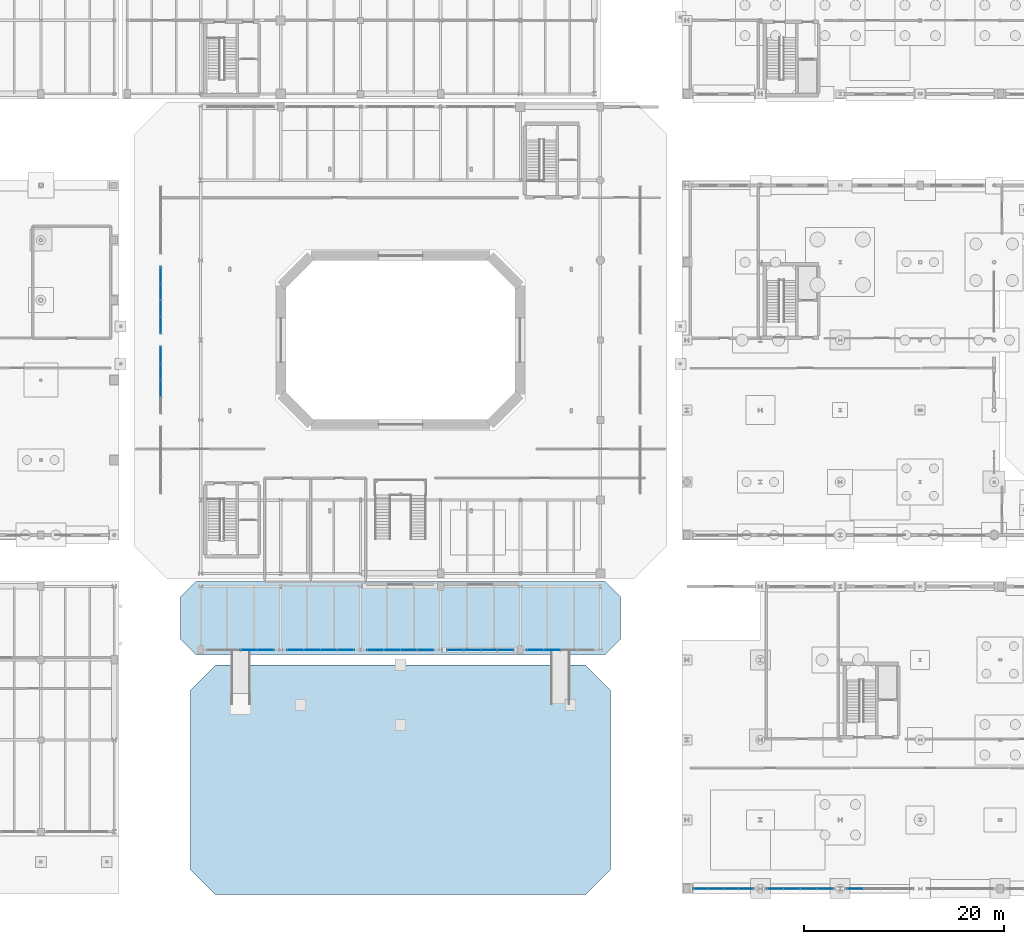
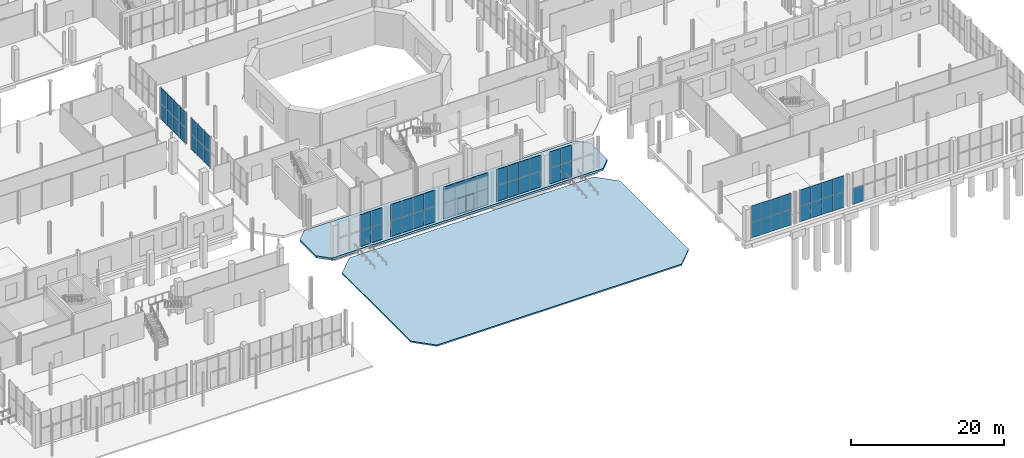
# One storey, part 59 of 87: 63 plates, 2 slabs, 10 elements without a shape of their own.
"""IFC4 building model written with IfcOpenShell, lengths in metres."""

from ifc_helpers import new_model, si_unit, direction, frame, origin, origin_2d, place, context, subcontext, project, spatial, polyline, rectangle, outline, extrude, material, layer, layer_set, type_object, element, aggregate, save


model = new_model("IFC4")

# Units and contexts
model_context = context("Model", 3, precision=1e-05, world=origin(), true_north=direction((0.0, 1.0)))
body_context = subcontext(model_context, "Body", "Model", "MODEL_VIEW")
ifc_project = project(units=[si_unit("LENGTHUNIT", "METRE"), si_unit("AREAUNIT", "SQUARE_METRE"), si_unit("VOLUMEUNIT", "CUBIC_METRE"), si_unit("PLANEANGLEUNIT", "RADIAN"), si_unit("MASSUNIT", "GRAM", prefix="KILO")], contexts=[model_context])

# Site, building, storey
site_placement = place(None, origin())
site = spatial("IfcSite", under=ifc_project, at=site_placement, CompositionType="ELEMENT")
building_placement = place(site_placement, origin())
building = spatial("IfcBuilding", under=site, at=building_placement, Name="Brisemont Oceanarium", CompositionType="ELEMENT")
storey_placement = place(building_placement, origin())
storey = spatial("IfcBuildingStorey", under=building, at=storey_placement, Name="L00", CompositionType="ELEMENT", Elevation=0.0)

# Curtain wall, plates
ifc_material_1 = material(Name="Anodized Extruded Aluminum 6063-T6", Category="aluminium")
curtain_wall_type_1 = type_object("IfcCurtainWallType", Name="CW-ROT-69X50", PredefinedType="NOTDEFINED", material=ifc_material_1)
curtain_wall_1_placement = place(storey_placement, origin())
curtain_wall_1 = element("IfcCurtainWall", 1, at=curtain_wall_1_placement, inside=storey, type_object=curtain_wall_type_1, Name="CW-01 curtain wall CW-V1-W-L00-02", PredefinedType="NOTDEFINED")
ifc_material_2 = material(Name="Insulated Low-E Laminated Glass", Category="glass")
ifc_layer_1 = layer(ifc_material_2, 0.028076171875)
ifc_layer_set_1 = layer_set([ifc_layer_1], Name="Insulated Low-E Laminated Glass")
plate_type_1 = type_object("IfcPlateType", Name="PLT-CWP-V1", PredefinedType="CURTAIN_PANEL", material=ifc_layer_set_1)
plate_1_placement = place(storey_placement, frame((60.0, 51.16259765625, 0.00146484375), z_axis=(0.0, 0.0, 1.0), x_axis=(0.0, 1.0, 0.0)))
plate_1 = element("IfcPlate", 2, at=plate_1_placement, type_object=plate_type_1, Name="CW-V1-W-L00-02 panel 2.1", PredefinedType="CURTAIN_PANEL", context=body_context, shape_type="SweptSolid", body=[
    extrude(rectangle(XDim=1.672119140625, YDim=0.028076171875, at=origin_2d()), origin(), (0.0, 0.0, 1.0), 2.527099609375),
])
plate_2_placement = place(storey_placement, frame((60.0, 51.16259765625, 2.53125), z_axis=(0.0, 0.0, 1.0), x_axis=(0.0, 1.0, 0.0)))
plate_2 = element("IfcPlate", 3, at=plate_2_placement, type_object=plate_type_1, Name="CW-V1-W-L00-02 panel 2.2", PredefinedType="CURTAIN_PANEL", context=body_context, shape_type="SweptSolid", body=[
    extrude(rectangle(XDim=1.672119140625, YDim=0.028076171875, at=origin_2d()), origin(), (0.0, 0.0, 1.0), 2.527099609375),
])
plate_3_placement = place(storey_placement, frame((60.0, 52.83740234375, 0.00146484375), z_axis=(0.0, 0.0, 1.0), x_axis=(0.0, 1.0, 0.0)))
plate_3 = element("IfcPlate", 4, at=plate_3_placement, type_object=plate_type_1, Name="CW-V1-W-L00-02 panel 3.1", PredefinedType="CURTAIN_PANEL", context=body_context, shape_type="SweptSolid", body=[
    extrude(rectangle(XDim=1.672119140625, YDim=0.028076171875, at=origin_2d()), origin(), (0.0, 0.0, 1.0), 2.527099609375),
])
plate_4_placement = place(storey_placement, frame((60.0, 52.83740234375, 2.53125), z_axis=(0.0, 0.0, 1.0), x_axis=(0.0, 1.0, 0.0)))
plate_4 = element("IfcPlate", 5, at=plate_4_placement, type_object=plate_type_1, Name="CW-V1-W-L00-02 panel 3.2", PredefinedType="CURTAIN_PANEL", context=body_context, shape_type="SweptSolid", body=[
    extrude(rectangle(XDim=1.672119140625, YDim=0.028076171875, at=origin_2d()), origin(), (0.0, 0.0, 1.0), 2.527099609375),
])
plate_5_placement = place(storey_placement, frame((60.0, 54.512451171875, 0.00146484375), z_axis=(0.0, 0.0, 1.0), x_axis=(0.0, 1.0, 0.0)))
plate_5 = element("IfcPlate", 6, at=plate_5_placement, type_object=plate_type_1, Name="CW-V1-W-L00-02 panel 4.1", PredefinedType="CURTAIN_PANEL", context=body_context, shape_type="SweptSolid", body=[
    extrude(rectangle(XDim=1.672119140625, YDim=0.028076171875, at=origin_2d()), origin(), (0.0, 0.0, 1.0), 2.527099609375),
])
plate_6_placement = place(storey_placement, frame((60.0, 54.512451171875, 2.53125), z_axis=(0.0, 0.0, 1.0), x_axis=(0.0, 1.0, 0.0)))
plate_6 = element("IfcPlate", 7, at=plate_6_placement, type_object=plate_type_1, Name="CW-V1-W-L00-02 panel 4.2", PredefinedType="CURTAIN_PANEL", context=body_context, shape_type="SweptSolid", body=[
    extrude(rectangle(XDim=1.672119140625, YDim=0.028076171875, at=origin_2d()), origin(), (0.0, 0.0, 1.0), 2.527099609375),
])
aggregate(curtain_wall_1, [plate_1, plate_2, plate_3, plate_4, plate_5, plate_6])

curtain_wall_2_placement = place(storey_placement, origin())
curtain_wall_2 = element("IfcCurtainWall", 8, at=curtain_wall_2_placement, inside=storey, type_object=curtain_wall_type_1, Name="CW-01 curtain wall CW-V1-W-L00-03", PredefinedType="NOTDEFINED")
plate_7_placement = place(storey_placement, frame((60.0, 57.487548828125, 0.00146484375), z_axis=(0.0, 0.0, 1.0), x_axis=(0.0, 1.0, 0.0)))
plate_7 = element("IfcPlate", 9, at=plate_7_placement, type_object=plate_type_1, Name="CW-V1-W-L00-03 panel 1.1", PredefinedType="CURTAIN_PANEL", context=body_context, shape_type="SweptSolid", body=[
    extrude(rectangle(XDim=1.672119140625, YDim=0.028076171875, at=origin_2d()), origin(), (0.0, 0.0, 1.0), 2.527099609375),
])
plate_8_placement = place(storey_placement, frame((60.0, 57.487548828125, 2.53125), z_axis=(0.0, 0.0, 1.0), x_axis=(0.0, 1.0, 0.0)))
plate_8 = element("IfcPlate", 10, at=plate_8_placement, type_object=plate_type_1, Name="CW-V1-W-L00-03 panel 1.2", PredefinedType="CURTAIN_PANEL", context=body_context, shape_type="SweptSolid", body=[
    extrude(rectangle(XDim=1.672119140625, YDim=0.028076171875, at=origin_2d()), origin(), (0.0, 0.0, 1.0), 2.527099609375),
])
plate_9_placement = place(storey_placement, frame((60.0, 59.16259765625, 0.00146484375), z_axis=(0.0, 0.0, 1.0), x_axis=(0.0, 1.0, 0.0)))
plate_9 = element("IfcPlate", 11, at=plate_9_placement, type_object=plate_type_1, Name="CW-V1-W-L00-03 panel 2.1", PredefinedType="CURTAIN_PANEL", context=body_context, shape_type="SweptSolid", body=[
    extrude(rectangle(XDim=1.672119140625, YDim=0.028076171875, at=origin_2d()), origin(), (0.0, 0.0, 1.0), 2.527099609375),
])
plate_10_placement = place(storey_placement, frame((60.0, 59.16259765625, 2.53125), z_axis=(0.0, 0.0, 1.0), x_axis=(0.0, 1.0, 0.0)))
plate_10 = element("IfcPlate", 12, at=plate_10_placement, type_object=plate_type_1, Name="CW-V1-W-L00-03 panel 2.2", PredefinedType="CURTAIN_PANEL", context=body_context, shape_type="SweptSolid", body=[
    extrude(rectangle(XDim=1.672119140625, YDim=0.028076171875, at=origin_2d()), origin(), (0.0, 0.0, 1.0), 2.527099609375),
])
plate_11_placement = place(storey_placement, frame((60.0, 60.83740234375, 0.00146484375), z_axis=(0.0, 0.0, 1.0), x_axis=(0.0, 1.0, 0.0)))
plate_11 = element("IfcPlate", 13, at=plate_11_placement, type_object=plate_type_1, Name="CW-V1-W-L00-03 panel 3.1", PredefinedType="CURTAIN_PANEL", context=body_context, shape_type="SweptSolid", body=[
    extrude(rectangle(XDim=1.672119140625, YDim=0.028076171875, at=origin_2d()), origin(), (0.0, 0.0, 1.0), 2.527099609375),
])
plate_12_placement = place(storey_placement, frame((60.0, 60.83740234375, 2.53125), z_axis=(0.0, 0.0, 1.0), x_axis=(0.0, 1.0, 0.0)))
plate_12 = element("IfcPlate", 14, at=plate_12_placement, type_object=plate_type_1, Name="CW-V1-W-L00-03 panel 3.2", PredefinedType="CURTAIN_PANEL", context=body_context, shape_type="SweptSolid", body=[
    extrude(rectangle(XDim=1.672119140625, YDim=0.028076171875, at=origin_2d()), origin(), (0.0, 0.0, 1.0), 2.527099609375),
])
plate_13_placement = place(storey_placement, frame((60.0, 62.512451171875, 0.00146484375), z_axis=(0.0, 0.0, 1.0), x_axis=(0.0, 1.0, 0.0)))
plate_13 = element("IfcPlate", 15, at=plate_13_placement, type_object=plate_type_1, Name="CW-V1-W-L00-03 panel 4.1", PredefinedType="CURTAIN_PANEL", context=body_context, shape_type="SweptSolid", body=[
    extrude(rectangle(XDim=1.672119140625, YDim=0.028076171875, at=origin_2d()), origin(), (0.0, 0.0, 1.0), 2.527099609375),
])
plate_14_placement = place(storey_placement, frame((60.0, 62.512451171875, 2.53125), z_axis=(0.0, 0.0, 1.0), x_axis=(0.0, 1.0, 0.0)))
plate_14 = element("IfcPlate", 16, at=plate_14_placement, type_object=plate_type_1, Name="CW-V1-W-L00-03 panel 4.2", PredefinedType="CURTAIN_PANEL", context=body_context, shape_type="SweptSolid", body=[
    extrude(rectangle(XDim=1.672119140625, YDim=0.028076171875, at=origin_2d()), origin(), (0.0, 0.0, 1.0), 2.527099609375),
])
aggregate(curtain_wall_2, [plate_7, plate_8, plate_9, plate_10, plate_11, plate_12, plate_13, plate_14])

ifc_material_3 = material(Name="Anodized Extruded Aluminum 6063-T6", Category="aluminium")
curtain_wall_type_2 = type_object("IfcCurtainWallType", Name="CW-POR-69X50", PredefinedType="NOTDEFINED", material=ifc_material_3)
curtain_wall_3_placement = place(storey_placement, origin())
curtain_wall_3 = element("IfcCurtainWall", 17, at=curtain_wall_3_placement, inside=storey, type_object=curtain_wall_type_2, Name="CW-19 curtain wall CW-V1P-S-L00-01", PredefinedType="NOTDEFINED")
ifc_material_4 = material(Name="Insulated Low-E Laminated Glass", Category="glass")
ifc_layer_2 = layer(ifc_material_4, 0.030029296875)
ifc_layer_set_2 = layer_set([ifc_layer_2], Name="Insulated Low-E Laminated Glass")
plate_type_2 = type_object("IfcPlateType", Name="PLT-CWP-V4", PredefinedType="CURTAIN_PANEL", material=ifc_layer_set_2)
plate_15_placement = place(storey_placement, frame((68.83740234375, 25.0, 0.00146484375), z_axis=(0.0, 0.0, 1.0), x_axis=(1.0, 0.0, 0.0)))
plate_15 = element("IfcPlate", 18, at=plate_15_placement, type_object=plate_type_2, Name="CW-V1P-S-L00-01 panel 3.1", PredefinedType="CURTAIN_PANEL", context=body_context, shape_type="SweptSolid", body=[
    extrude(rectangle(XDim=1.672119140625, YDim=0.030029296875, at=origin_2d()), origin(), (0.0, 0.0, 1.0), 2.547119140625),
])
plate_16_placement = place(storey_placement, frame((68.83740234375, 25.0, 2.55126953125), z_axis=(0.0, 0.0, 1.0), x_axis=(1.0, 0.0, 0.0)))
plate_16 = element("IfcPlate", 19, at=plate_16_placement, type_object=plate_type_2, Name="CW-V1P-S-L00-01 panel 3.2", PredefinedType="CURTAIN_PANEL", context=body_context, shape_type="SweptSolid", body=[
    extrude(rectangle(XDim=1.672119140625, YDim=0.030029296875, at=origin_2d()), origin(), (0.0, 0.0, 1.0), 2.547119140625),
])
plate_17_placement = place(storey_placement, frame((70.512451171875, 25.0, 0.00146484375), z_axis=(0.0, 0.0, 1.0), x_axis=(1.0, 0.0, 0.0)))
plate_17 = element("IfcPlate", 20, at=plate_17_placement, type_object=plate_type_2, Name="CW-V1P-S-L00-01 panel 4.1", PredefinedType="CURTAIN_PANEL", context=body_context, shape_type="SweptSolid", body=[
    extrude(rectangle(XDim=1.672119140625, YDim=0.030029296875, at=origin_2d()), origin(), (0.0, 0.0, 1.0), 2.547119140625),
])
plate_18_placement = place(storey_placement, frame((70.512451171875, 25.0, 2.55126953125), z_axis=(0.0, 0.0, 1.0), x_axis=(1.0, 0.0, 0.0)))
plate_18 = element("IfcPlate", 21, at=plate_18_placement, type_object=plate_type_2, Name="CW-V1P-S-L00-01 panel 4.2", PredefinedType="CURTAIN_PANEL", context=body_context, shape_type="SweptSolid", body=[
    extrude(rectangle(XDim=1.672119140625, YDim=0.030029296875, at=origin_2d()), origin(), (0.0, 0.0, 1.0), 2.547119140625),
])
aggregate(curtain_wall_3, [plate_15, plate_16, plate_17, plate_18])

curtain_wall_4_placement = place(storey_placement, origin())
curtain_wall_4 = element("IfcCurtainWall", 22, at=curtain_wall_4_placement, inside=storey, type_object=curtain_wall_type_2, Name="CW-19 curtain wall CW-V1P-S-L00-02", PredefinedType="NOTDEFINED")
plate_19_placement = place(storey_placement, frame((73.487548828125, 25.0, 0.00146484375), z_axis=(0.0, 0.0, 1.0), x_axis=(1.0, 0.0, 0.0)))
plate_19 = element("IfcPlate", 23, at=plate_19_placement, type_object=plate_type_2, Name="CW-V1P-S-L00-02 panel 1.1", PredefinedType="CURTAIN_PANEL", context=body_context, shape_type="SweptSolid", body=[
    extrude(rectangle(XDim=1.672119140625, YDim=0.030029296875, at=origin_2d()), origin(), (0.0, 0.0, 1.0), 2.547119140625),
])
plate_20_placement = place(storey_placement, frame((73.487548828125, 25.0, 2.55126953125), z_axis=(0.0, 0.0, 1.0), x_axis=(1.0, 0.0, 0.0)))
plate_20 = element("IfcPlate", 24, at=plate_20_placement, type_object=plate_type_2, Name="CW-V1P-S-L00-02 panel 1.2", PredefinedType="CURTAIN_PANEL", context=body_context, shape_type="SweptSolid", body=[
    extrude(rectangle(XDim=1.672119140625, YDim=0.030029296875, at=origin_2d()), origin(), (0.0, 0.0, 1.0), 2.547119140625),
])
plate_21_placement = place(storey_placement, frame((75.16259765625, 25.0, 0.00146484375), z_axis=(0.0, 0.0, 1.0), x_axis=(1.0, 0.0, 0.0)))
plate_21 = element("IfcPlate", 25, at=plate_21_placement, type_object=plate_type_2, Name="CW-V1P-S-L00-02 panel 2.1", PredefinedType="CURTAIN_PANEL", context=body_context, shape_type="SweptSolid", body=[
    extrude(rectangle(XDim=1.672119140625, YDim=0.030029296875, at=origin_2d()), origin(), (0.0, 0.0, 1.0), 2.547119140625),
])
plate_22_placement = place(storey_placement, frame((75.16259765625, 25.0, 2.55126953125), z_axis=(0.0, 0.0, 1.0), x_axis=(1.0, 0.0, 0.0)))
plate_22 = element("IfcPlate", 26, at=plate_22_placement, type_object=plate_type_2, Name="CW-V1P-S-L00-02 panel 2.2", PredefinedType="CURTAIN_PANEL", context=body_context, shape_type="SweptSolid", body=[
    extrude(rectangle(XDim=1.672119140625, YDim=0.030029296875, at=origin_2d()), origin(), (0.0, 0.0, 1.0), 2.547119140625),
])
plate_23_placement = place(storey_placement, frame((76.83740234375, 25.0, 0.00146484375), z_axis=(0.0, 0.0, 1.0), x_axis=(1.0, 0.0, 0.0)))
plate_23 = element("IfcPlate", 27, at=plate_23_placement, type_object=plate_type_2, Name="CW-V1P-S-L00-02 panel 3.1", PredefinedType="CURTAIN_PANEL", context=body_context, shape_type="SweptSolid", body=[
    extrude(rectangle(XDim=1.672119140625, YDim=0.030029296875, at=origin_2d()), origin(), (0.0, 0.0, 1.0), 2.547119140625),
])
plate_24_placement = place(storey_placement, frame((76.83740234375, 25.0, 2.55126953125), z_axis=(0.0, 0.0, 1.0), x_axis=(1.0, 0.0, 0.0)))
plate_24 = element("IfcPlate", 28, at=plate_24_placement, type_object=plate_type_2, Name="CW-V1P-S-L00-02 panel 3.2", PredefinedType="CURTAIN_PANEL", context=body_context, shape_type="SweptSolid", body=[
    extrude(rectangle(XDim=1.672119140625, YDim=0.030029296875, at=origin_2d()), origin(), (0.0, 0.0, 1.0), 2.547119140625),
])
plate_25_placement = place(storey_placement, frame((78.512451171875, 25.0, 0.00146484375), z_axis=(0.0, 0.0, 1.0), x_axis=(1.0, 0.0, 0.0)))
plate_25 = element("IfcPlate", 29, at=plate_25_placement, type_object=plate_type_2, Name="CW-V1P-S-L00-02 panel 4.1", PredefinedType="CURTAIN_PANEL", context=body_context, shape_type="SweptSolid", body=[
    extrude(rectangle(XDim=1.672119140625, YDim=0.030029296875, at=origin_2d()), origin(), (0.0, 0.0, 1.0), 2.547119140625),
])
plate_26_placement = place(storey_placement, frame((78.512451171875, 25.0, 2.55126953125), z_axis=(0.0, 0.0, 1.0), x_axis=(1.0, 0.0, 0.0)))
plate_26 = element("IfcPlate", 30, at=plate_26_placement, type_object=plate_type_2, Name="CW-V1P-S-L00-02 panel 4.2", PredefinedType="CURTAIN_PANEL", context=body_context, shape_type="SweptSolid", body=[
    extrude(rectangle(XDim=1.672119140625, YDim=0.030029296875, at=origin_2d()), origin(), (0.0, 0.0, 1.0), 2.547119140625),
])
aggregate(curtain_wall_4, [plate_19, plate_20, plate_21, plate_22, plate_23, plate_24, plate_25, plate_26])

curtain_wall_5_placement = place(storey_placement, origin())
curtain_wall_5 = element("IfcCurtainWall", 31, at=curtain_wall_5_placement, inside=storey, type_object=curtain_wall_type_2, Name="CW-19 curtain wall CW-V1P-S-L00-03", PredefinedType="NOTDEFINED")
plate_27_placement = place(storey_placement, frame((81.487548828125, 25.0, 0.00146484375), z_axis=(0.0, 0.0, 1.0), x_axis=(1.0, 0.0, 0.0)))
plate_27 = element("IfcPlate", 32, at=plate_27_placement, type_object=plate_type_2, Name="CW-V1P-S-L00-03 panel 1.1", PredefinedType="CURTAIN_PANEL", context=body_context, shape_type="SweptSolid", body=[
    extrude(rectangle(XDim=1.672119140625, YDim=0.030029296875, at=origin_2d()), origin(), (0.0, 0.0, 1.0), 2.547119140625),
])
plate_28_placement = place(storey_placement, frame((81.487548828125, 25.0, 2.55126953125), z_axis=(0.0, 0.0, 1.0), x_axis=(1.0, 0.0, 0.0)))
plate_28 = element("IfcPlate", 33, at=plate_28_placement, type_object=plate_type_2, Name="CW-V1P-S-L00-03 panel 1.2", PredefinedType="CURTAIN_PANEL", context=body_context, shape_type="SweptSolid", body=[
    extrude(rectangle(XDim=1.672119140625, YDim=0.030029296875, at=origin_2d()), origin(), (0.0, 0.0, 1.0), 2.547119140625),
])
plate_29_placement = place(storey_placement, frame((83.16259765625, 25.0, 0.00146484375), z_axis=(0.0, 0.0, 1.0), x_axis=(1.0, 0.0, 0.0)))
plate_29 = element("IfcPlate", 34, at=plate_29_placement, type_object=plate_type_2, Name="CW-V1P-S-L00-03 panel 2.1", PredefinedType="CURTAIN_PANEL", context=body_context, shape_type="SweptSolid", body=[
    extrude(rectangle(XDim=1.672119140625, YDim=0.030029296875, at=origin_2d()), origin(), (0.0, 0.0, 1.0), 2.547119140625),
])
plate_30_placement = place(storey_placement, frame((83.16259765625, 25.0, 2.55126953125), z_axis=(0.0, 0.0, 1.0), x_axis=(1.0, 0.0, 0.0)))
plate_30 = element("IfcPlate", 35, at=plate_30_placement, type_object=plate_type_2, Name="CW-V1P-S-L00-03 panel 2.2", PredefinedType="CURTAIN_PANEL", context=body_context, shape_type="SweptSolid", body=[
    extrude(rectangle(XDim=1.672119140625, YDim=0.030029296875, at=origin_2d()), origin(), (0.0, 0.0, 1.0), 2.547119140625),
])
plate_31_placement = place(storey_placement, frame((84.83740234375, 25.0, 0.00146484375), z_axis=(0.0, 0.0, 1.0), x_axis=(1.0, 0.0, 0.0)))
plate_31 = element("IfcPlate", 36, at=plate_31_placement, type_object=plate_type_2, Name="CW-V1P-S-L00-03 panel 3.1", PredefinedType="CURTAIN_PANEL", context=body_context, shape_type="SweptSolid", body=[
    extrude(rectangle(XDim=1.672119140625, YDim=0.030029296875, at=origin_2d()), origin(), (0.0, 0.0, 1.0), 2.547119140625),
])
plate_32_placement = place(storey_placement, frame((84.83740234375, 25.0, 2.55126953125), z_axis=(0.0, 0.0, 1.0), x_axis=(1.0, 0.0, 0.0)))
plate_32 = element("IfcPlate", 37, at=plate_32_placement, type_object=plate_type_2, Name="CW-V1P-S-L00-03 panel 3.2", PredefinedType="CURTAIN_PANEL", context=body_context, shape_type="SweptSolid", body=[
    extrude(rectangle(XDim=1.672119140625, YDim=0.030029296875, at=origin_2d()), origin(), (0.0, 0.0, 1.0), 2.547119140625),
])
plate_33_placement = place(storey_placement, frame((86.512451171875, 25.0, 0.00146484375), z_axis=(0.0, 0.0, 1.0), x_axis=(1.0, 0.0, 0.0)))
plate_33 = element("IfcPlate", 38, at=plate_33_placement, type_object=plate_type_2, Name="CW-V1P-S-L00-03 panel 4.1", PredefinedType="CURTAIN_PANEL", context=body_context, shape_type="SweptSolid", body=[
    extrude(rectangle(XDim=1.672119140625, YDim=0.030029296875, at=origin_2d()), origin(), (0.0, 0.0, 1.0), 2.547119140625),
])
plate_34_placement = place(storey_placement, frame((86.512451171875, 25.0, 2.55126953125), z_axis=(0.0, 0.0, 1.0), x_axis=(1.0, 0.0, 0.0)))
plate_34 = element("IfcPlate", 39, at=plate_34_placement, type_object=plate_type_2, Name="CW-V1P-S-L00-03 panel 4.2", PredefinedType="CURTAIN_PANEL", context=body_context, shape_type="SweptSolid", body=[
    extrude(rectangle(XDim=1.672119140625, YDim=0.030029296875, at=origin_2d()), origin(), (0.0, 0.0, 1.0), 2.547119140625),
])
aggregate(curtain_wall_5, [plate_27, plate_28, plate_29, plate_30, plate_31, plate_32, plate_33, plate_34])

curtain_wall_6_placement = place(storey_placement, origin())
curtain_wall_6 = element("IfcCurtainWall", 40, at=curtain_wall_6_placement, inside=storey, type_object=curtain_wall_type_2, Name="CW-19 curtain wall CW-V1P-S-L00-04", PredefinedType="NOTDEFINED")
plate_35_placement = place(storey_placement, frame((89.487548828125, 25.0, 0.00146484375), z_axis=(0.0, 0.0, 1.0), x_axis=(1.0, 0.0, 0.0)))
plate_35 = element("IfcPlate", 41, at=plate_35_placement, type_object=plate_type_2, Name="CW-V1P-S-L00-04 panel 1.1", PredefinedType="CURTAIN_PANEL", context=body_context, shape_type="SweptSolid", body=[
    extrude(rectangle(XDim=1.672119140625, YDim=0.030029296875, at=origin_2d()), origin(), (0.0, 0.0, 1.0), 2.547119140625),
])
plate_36_placement = place(storey_placement, frame((89.487548828125, 25.0, 2.55126953125), z_axis=(0.0, 0.0, 1.0), x_axis=(1.0, 0.0, 0.0)))
plate_36 = element("IfcPlate", 42, at=plate_36_placement, type_object=plate_type_2, Name="CW-V1P-S-L00-04 panel 1.2", PredefinedType="CURTAIN_PANEL", context=body_context, shape_type="SweptSolid", body=[
    extrude(rectangle(XDim=1.672119140625, YDim=0.030029296875, at=origin_2d()), origin(), (0.0, 0.0, 1.0), 2.547119140625),
])
plate_37_placement = place(storey_placement, frame((91.16259765625, 25.0, 0.00146484375), z_axis=(0.0, 0.0, 1.0), x_axis=(1.0, 0.0, 0.0)))
plate_37 = element("IfcPlate", 43, at=plate_37_placement, type_object=plate_type_2, Name="CW-V1P-S-L00-04 panel 2.1", PredefinedType="CURTAIN_PANEL", context=body_context, shape_type="SweptSolid", body=[
    extrude(rectangle(XDim=1.672119140625, YDim=0.030029296875, at=origin_2d()), origin(), (0.0, 0.0, 1.0), 2.547119140625),
])
plate_38_placement = place(storey_placement, frame((91.16259765625, 25.0, 2.55126953125), z_axis=(0.0, 0.0, 1.0), x_axis=(1.0, 0.0, 0.0)))
plate_38 = element("IfcPlate", 44, at=plate_38_placement, type_object=plate_type_2, Name="CW-V1P-S-L00-04 panel 2.2", PredefinedType="CURTAIN_PANEL", context=body_context, shape_type="SweptSolid", body=[
    extrude(rectangle(XDim=1.672119140625, YDim=0.030029296875, at=origin_2d()), origin(), (0.0, 0.0, 1.0), 2.547119140625),
])
plate_39_placement = place(storey_placement, frame((92.83740234375, 25.0, 0.00146484375), z_axis=(0.0, 0.0, 1.0), x_axis=(1.0, 0.0, 0.0)))
plate_39 = element("IfcPlate", 45, at=plate_39_placement, type_object=plate_type_2, Name="CW-V1P-S-L00-04 panel 3.1", PredefinedType="CURTAIN_PANEL", context=body_context, shape_type="SweptSolid", body=[
    extrude(rectangle(XDim=1.672119140625, YDim=0.030029296875, at=origin_2d()), origin(), (0.0, 0.0, 1.0), 2.547119140625),
])
plate_40_placement = place(storey_placement, frame((92.83740234375, 25.0, 2.55126953125), z_axis=(0.0, 0.0, 1.0), x_axis=(1.0, 0.0, 0.0)))
plate_40 = element("IfcPlate", 46, at=plate_40_placement, type_object=plate_type_2, Name="CW-V1P-S-L00-04 panel 3.2", PredefinedType="CURTAIN_PANEL", context=body_context, shape_type="SweptSolid", body=[
    extrude(rectangle(XDim=1.672119140625, YDim=0.030029296875, at=origin_2d()), origin(), (0.0, 0.0, 1.0), 2.547119140625),
])
plate_41_placement = place(storey_placement, frame((94.512451171875, 25.0, 0.00146484375), z_axis=(0.0, 0.0, 1.0), x_axis=(1.0, 0.0, 0.0)))
plate_41 = element("IfcPlate", 47, at=plate_41_placement, type_object=plate_type_2, Name="CW-V1P-S-L00-04 panel 4.1", PredefinedType="CURTAIN_PANEL", context=body_context, shape_type="SweptSolid", body=[
    extrude(rectangle(XDim=1.672119140625, YDim=0.030029296875, at=origin_2d()), origin(), (0.0, 0.0, 1.0), 2.547119140625),
])
plate_42_placement = place(storey_placement, frame((94.512451171875, 25.0, 2.55126953125), z_axis=(0.0, 0.0, 1.0), x_axis=(1.0, 0.0, 0.0)))
plate_42 = element("IfcPlate", 48, at=plate_42_placement, type_object=plate_type_2, Name="CW-V1P-S-L00-04 panel 4.2", PredefinedType="CURTAIN_PANEL", context=body_context, shape_type="SweptSolid", body=[
    extrude(rectangle(XDim=1.672119140625, YDim=0.030029296875, at=origin_2d()), origin(), (0.0, 0.0, 1.0), 2.547119140625),
])
aggregate(curtain_wall_6, [plate_35, plate_36, plate_37, plate_38, plate_39, plate_40, plate_41, plate_42])

curtain_wall_7_placement = place(storey_placement, origin())
curtain_wall_7 = element("IfcCurtainWall", 49, at=curtain_wall_7_placement, inside=storey, type_object=curtain_wall_type_2, Name="CW-19 curtain wall CW-V1P-S-L00-05", PredefinedType="NOTDEFINED")
plate_43_placement = place(storey_placement, frame((97.487548828125, 25.0, 0.00146484375), z_axis=(0.0, 0.0, 1.0), x_axis=(1.0, 0.0, 0.0)))
plate_43 = element("IfcPlate", 50, at=plate_43_placement, type_object=plate_type_2, Name="CW-V1P-S-L00-05 panel 1.1", PredefinedType="CURTAIN_PANEL", context=body_context, shape_type="SweptSolid", body=[
    extrude(rectangle(XDim=1.672119140625, YDim=0.030029296875, at=origin_2d()), origin(), (0.0, 0.0, 1.0), 2.547119140625),
])
plate_44_placement = place(storey_placement, frame((97.487548828125, 25.0, 2.55126953125), z_axis=(0.0, 0.0, 1.0), x_axis=(1.0, 0.0, 0.0)))
plate_44 = element("IfcPlate", 51, at=plate_44_placement, type_object=plate_type_2, Name="CW-V1P-S-L00-05 panel 1.2", PredefinedType="CURTAIN_PANEL", context=body_context, shape_type="SweptSolid", body=[
    extrude(rectangle(XDim=1.672119140625, YDim=0.030029296875, at=origin_2d()), origin(), (0.0, 0.0, 1.0), 2.547119140625),
])
plate_45_placement = place(storey_placement, frame((99.16259765625, 25.0, 0.00146484375), z_axis=(0.0, 0.0, 1.0), x_axis=(1.0, 0.0, 0.0)))
plate_45 = element("IfcPlate", 52, at=plate_45_placement, type_object=plate_type_2, Name="CW-V1P-S-L00-05 panel 2.1", PredefinedType="CURTAIN_PANEL", context=body_context, shape_type="SweptSolid", body=[
    extrude(rectangle(XDim=1.672119140625, YDim=0.030029296875, at=origin_2d()), origin(), (0.0, 0.0, 1.0), 2.547119140625),
])
plate_46_placement = place(storey_placement, frame((99.16259765625, 25.0, 2.55126953125), z_axis=(0.0, 0.0, 1.0), x_axis=(1.0, 0.0, 0.0)))
plate_46 = element("IfcPlate", 53, at=plate_46_placement, type_object=plate_type_2, Name="CW-V1P-S-L00-05 panel 2.2", PredefinedType="CURTAIN_PANEL", context=body_context, shape_type="SweptSolid", body=[
    extrude(rectangle(XDim=1.672119140625, YDim=0.030029296875, at=origin_2d()), origin(), (0.0, 0.0, 1.0), 2.547119140625),
])
aggregate(curtain_wall_7, [plate_43, plate_44, plate_45, plate_46])

ifc_material_5 = material(Name="Anodized Extruded Aluminum 6063-T6", Category="aluminium")
curtain_wall_type_3 = type_object("IfcCurtainWallType", Name="CW-EDU-69X45", PredefinedType="NOTDEFINED", material=ifc_material_5)
curtain_wall_8_placement = place(storey_placement, origin())
curtain_wall_8 = element("IfcCurtainWall", 54, at=curtain_wall_8_placement, inside=storey, type_object=curtain_wall_type_3, Name="CW-07 curtain wall CW-V3-S-L00-01", PredefinedType="NOTDEFINED")
ifc_material_6 = material(Name="Insulated Low-E Laminated Glass", Category="glass")
ifc_layer_3 = layer(ifc_material_6, 0.028076171875)
ifc_layer_set_3 = layer_set([ifc_layer_3], Name="Insulated Low-E Laminated Glass")
plate_type_3 = type_object("IfcPlateType", Name="PLT-CWP-V7", PredefinedType="CURTAIN_PANEL", material=ifc_layer_set_3)
plate_47_placement = place(storey_placement, frame((114.05615234375, 1.10009765625, 0.00146484375), z_axis=(0.0, 0.0, 1.0), x_axis=(1.0, 0.0, 0.0)))
plate_47 = element("IfcPlate", 55, at=plate_47_placement, type_object=plate_type_3, Name="CW-V3-S-L00-01 panel 1.1", PredefinedType="CURTAIN_PANEL", context=body_context, shape_type="SweptSolid", body=[
    extrude(rectangle(XDim=1.509521484375, YDim=0.028076171875, at=origin_2d()), origin(), (0.0, 0.0, 1.0), 2.547119140625),
])
plate_48_placement = place(storey_placement, frame((114.05615234375, 1.10009765625, 2.55126953125), z_axis=(0.0, 0.0, 1.0), x_axis=(1.0, 0.0, 0.0)))
plate_48 = element("IfcPlate", 56, at=plate_48_placement, type_object=plate_type_3, Name="CW-V3-S-L00-01 panel 1.2", PredefinedType="CURTAIN_PANEL", context=body_context, shape_type="SweptSolid", body=[
    extrude(rectangle(XDim=1.509521484375, YDim=0.028076171875, at=origin_2d()), origin(), (0.0, 0.0, 1.0), 2.547119140625),
])
plate_49_placement = place(storey_placement, frame((115.568603515625, 1.10009765625, 0.00146484375), z_axis=(0.0, 0.0, 1.0), x_axis=(1.0, 0.0, 0.0)))
plate_49 = element("IfcPlate", 57, at=plate_49_placement, type_object=plate_type_3, Name="CW-V3-S-L00-01 panel 2.1", PredefinedType="CURTAIN_PANEL", context=body_context, shape_type="SweptSolid", body=[
    extrude(rectangle(XDim=1.509521484375, YDim=0.028076171875, at=origin_2d()), origin(), (0.0, 0.0, 1.0), 2.547119140625),
])
plate_50_placement = place(storey_placement, frame((115.568603515625, 1.10009765625, 2.55126953125), z_axis=(0.0, 0.0, 1.0), x_axis=(1.0, 0.0, 0.0)))
plate_50 = element("IfcPlate", 58, at=plate_50_placement, type_object=plate_type_3, Name="CW-V3-S-L00-01 panel 2.2", PredefinedType="CURTAIN_PANEL", context=body_context, shape_type="SweptSolid", body=[
    extrude(rectangle(XDim=1.509521484375, YDim=0.028076171875, at=origin_2d()), origin(), (0.0, 0.0, 1.0), 2.547119140625),
])
plate_51_placement = place(storey_placement, frame((117.081298828125, 1.10009765625, 0.00146484375), z_axis=(0.0, 0.0, 1.0), x_axis=(1.0, 0.0, 0.0)))
plate_51 = element("IfcPlate", 59, at=plate_51_placement, type_object=plate_type_3, Name="CW-V3-S-L00-01 panel 3.1", PredefinedType="CURTAIN_PANEL", context=body_context, shape_type="SweptSolid", body=[
    extrude(rectangle(XDim=1.509521484375, YDim=0.028076171875, at=origin_2d()), origin(), (0.0, 0.0, 1.0), 2.547119140625),
])
plate_52_placement = place(storey_placement, frame((117.081298828125, 1.10009765625, 2.55126953125), z_axis=(0.0, 0.0, 1.0), x_axis=(1.0, 0.0, 0.0)))
plate_52 = element("IfcPlate", 60, at=plate_52_placement, type_object=plate_type_3, Name="CW-V3-S-L00-01 panel 3.2", PredefinedType="CURTAIN_PANEL", context=body_context, shape_type="SweptSolid", body=[
    extrude(rectangle(XDim=1.509521484375, YDim=0.028076171875, at=origin_2d()), origin(), (0.0, 0.0, 1.0), 2.547119140625),
])
plate_53_placement = place(storey_placement, frame((118.59375, 1.10009765625, 0.00146484375), z_axis=(0.0, 0.0, 1.0), x_axis=(1.0, 0.0, 0.0)))
plate_53 = element("IfcPlate", 61, at=plate_53_placement, type_object=plate_type_3, Name="CW-V3-S-L00-01 panel 4.1", PredefinedType="CURTAIN_PANEL", context=body_context, shape_type="SweptSolid", body=[
    extrude(rectangle(XDim=1.509521484375, YDim=0.028076171875, at=origin_2d()), origin(), (0.0, 0.0, 1.0), 2.547119140625),
])
plate_54_placement = place(storey_placement, frame((118.59375, 1.10009765625, 2.55126953125), z_axis=(0.0, 0.0, 1.0), x_axis=(1.0, 0.0, 0.0)))
plate_54 = element("IfcPlate", 62, at=plate_54_placement, type_object=plate_type_3, Name="CW-V3-S-L00-01 panel 4.2", PredefinedType="CURTAIN_PANEL", context=body_context, shape_type="SweptSolid", body=[
    extrude(rectangle(XDim=1.509521484375, YDim=0.028076171875, at=origin_2d()), origin(), (0.0, 0.0, 1.0), 2.547119140625),
])
aggregate(curtain_wall_8, [plate_47, plate_48, plate_49, plate_50, plate_51, plate_52, plate_53, plate_54])

curtain_wall_9_placement = place(storey_placement, origin())
curtain_wall_9 = element("IfcCurtainWall", 63, at=curtain_wall_9_placement, inside=storey, type_object=curtain_wall_type_3, Name="CW-07 curtain wall CW-V3-S-L00-02", PredefinedType="NOTDEFINED")
plate_55_placement = place(storey_placement, frame((121.487548828125, 1.10009765625, 0.00146484375), z_axis=(0.0, 0.0, 1.0), x_axis=(1.0, 0.0, 0.0)))
plate_55 = element("IfcPlate", 64, at=plate_55_placement, type_object=plate_type_3, Name="CW-V3-S-L00-02 panel 1.1", PredefinedType="CURTAIN_PANEL", context=body_context, shape_type="SweptSolid", body=[
    extrude(rectangle(XDim=1.672119140625, YDim=0.028076171875, at=origin_2d()), origin(), (0.0, 0.0, 1.0), 2.547119140625),
])
plate_56_placement = place(storey_placement, frame((121.487548828125, 1.10009765625, 2.55126953125), z_axis=(0.0, 0.0, 1.0), x_axis=(1.0, 0.0, 0.0)))
plate_56 = element("IfcPlate", 65, at=plate_56_placement, type_object=plate_type_3, Name="CW-V3-S-L00-02 panel 1.2", PredefinedType="CURTAIN_PANEL", context=body_context, shape_type="SweptSolid", body=[
    extrude(rectangle(XDim=1.672119140625, YDim=0.028076171875, at=origin_2d()), origin(), (0.0, 0.0, 1.0), 2.547119140625),
])
plate_57_placement = place(storey_placement, frame((123.16259765625, 1.10009765625, 0.00146484375), z_axis=(0.0, 0.0, 1.0), x_axis=(1.0, 0.0, 0.0)))
plate_57 = element("IfcPlate", 66, at=plate_57_placement, type_object=plate_type_3, Name="CW-V3-S-L00-02 panel 2.1", PredefinedType="CURTAIN_PANEL", context=body_context, shape_type="SweptSolid", body=[
    extrude(rectangle(XDim=1.672119140625, YDim=0.028076171875, at=origin_2d()), origin(), (0.0, 0.0, 1.0), 2.547119140625),
])
plate_58_placement = place(storey_placement, frame((123.16259765625, 1.10009765625, 2.55126953125), z_axis=(0.0, 0.0, 1.0), x_axis=(1.0, 0.0, 0.0)))
plate_58 = element("IfcPlate", 67, at=plate_58_placement, type_object=plate_type_3, Name="CW-V3-S-L00-02 panel 2.2", PredefinedType="CURTAIN_PANEL", context=body_context, shape_type="SweptSolid", body=[
    extrude(rectangle(XDim=1.672119140625, YDim=0.028076171875, at=origin_2d()), origin(), (0.0, 0.0, 1.0), 2.547119140625),
])
plate_59_placement = place(storey_placement, frame((124.83740234375, 1.10009765625, 0.00146484375), z_axis=(0.0, 0.0, 1.0), x_axis=(1.0, 0.0, 0.0)))
plate_59 = element("IfcPlate", 68, at=plate_59_placement, type_object=plate_type_3, Name="CW-V3-S-L00-02 panel 3.1", PredefinedType="CURTAIN_PANEL", context=body_context, shape_type="SweptSolid", body=[
    extrude(rectangle(XDim=1.672119140625, YDim=0.028076171875, at=origin_2d()), origin(), (0.0, 0.0, 1.0), 2.547119140625),
])
plate_60_placement = place(storey_placement, frame((124.83740234375, 1.10009765625, 2.55126953125), z_axis=(0.0, 0.0, 1.0), x_axis=(1.0, 0.0, 0.0)))
plate_60 = element("IfcPlate", 69, at=plate_60_placement, type_object=plate_type_3, Name="CW-V3-S-L00-02 panel 3.2", PredefinedType="CURTAIN_PANEL", context=body_context, shape_type="SweptSolid", body=[
    extrude(rectangle(XDim=1.672119140625, YDim=0.028076171875, at=origin_2d()), origin(), (0.0, 0.0, 1.0), 2.547119140625),
])
plate_61_placement = place(storey_placement, frame((126.512451171875, 1.10009765625, 0.00146484375), z_axis=(0.0, 0.0, 1.0), x_axis=(1.0, 0.0, 0.0)))
plate_61 = element("IfcPlate", 70, at=plate_61_placement, type_object=plate_type_3, Name="CW-V3-S-L00-02 panel 4.1", PredefinedType="CURTAIN_PANEL", context=body_context, shape_type="SweptSolid", body=[
    extrude(rectangle(XDim=1.672119140625, YDim=0.028076171875, at=origin_2d()), origin(), (0.0, 0.0, 1.0), 2.547119140625),
])
plate_62_placement = place(storey_placement, frame((126.512451171875, 1.10009765625, 2.55126953125), z_axis=(0.0, 0.0, 1.0), x_axis=(1.0, 0.0, 0.0)))
plate_62 = element("IfcPlate", 71, at=plate_62_placement, type_object=plate_type_3, Name="CW-V3-S-L00-02 panel 4.2", PredefinedType="CURTAIN_PANEL", context=body_context, shape_type="SweptSolid", body=[
    extrude(rectangle(XDim=1.672119140625, YDim=0.028076171875, at=origin_2d()), origin(), (0.0, 0.0, 1.0), 2.547119140625),
])
aggregate(curtain_wall_9, [plate_55, plate_56, plate_57, plate_58, plate_59, plate_60, plate_61, plate_62])

# Curtain wall, plate
curtain_wall_10_placement = place(storey_placement, origin())
curtain_wall_10 = element("IfcCurtainWall", 72, at=curtain_wall_10_placement, inside=storey, type_object=curtain_wall_type_3, Name="CW-07 curtain wall CW-V3-S-L00-03", PredefinedType="NOTDEFINED")
plate_63_placement = place(storey_placement, frame((129.487548828125, 1.10009765625, 0.00146484375), z_axis=(0.0, 0.0, 1.0), x_axis=(1.0, 0.0, 0.0)))
plate_63 = element("IfcPlate", 73, at=plate_63_placement, type_object=plate_type_3, Name="CW-V3-S-L00-03 panel 1.1", PredefinedType="CURTAIN_PANEL", context=body_context, shape_type="SweptSolid", body=[
    extrude(rectangle(XDim=1.672119140625, YDim=0.028076171875, at=origin_2d()), origin(), (0.0, 0.0, 1.0), 2.547119140625),
])
aggregate(curtain_wall_10, [plate_63])

# Slabs
ifc_material_7 = material(Name="Concrete C35/45", Category="concrete")
ifc_layer_4 = layer(ifc_material_7, 0.340087890625)
ifc_layer_set_4 = layer_set([ifc_layer_4], Name="Concrete C35/45")
slab_type_1 = type_object("IfcSlabType", Name="SLB-FLR-340", PredefinedType="FLOOR", material=ifc_layer_set_4)
slab_1_placement = place(storey_placement, frame((0.0, 0.0, -0.340087890625)))
element("IfcSlab", 74, at=slab_1_placement, inside=storey, type_object=slab_type_1, Name="V1P L00 floor slab", PredefinedType="FLOOR", context=body_context, shape_type="SweptSolid", body=[
    extrude(outline(polyline([(63.5, 24.550048828125), (104.5, 24.550048828125), (106.0, 26.050048828125), (106.0, 30.35009765625), (104.5, 31.85009765625), (63.5, 31.85009765625), (62.0, 30.35009765625), (62.0, 26.050048828125), (63.5, 24.550048828125)])), origin(), (0.0, 0.0, 1.0), 0.340087890625),
])
ifc_material_8 = material(Name="Concrete C40/50", Category="concrete")
ifc_layer_5 = layer(ifc_material_8, 0.219970703125)
ifc_layer_set_5 = layer_set([ifc_layer_5], Name="Concrete C40/50")
slab_type_2 = type_object("IfcSlabType", Name="SLB-TER-220", PredefinedType="FLOOR", material=ifc_layer_set_5)
slab_2_placement = place(storey_placement, frame((0.0, 0.0, -0.219970703125)))
element("IfcSlab", 75, at=slab_2_placement, inside=storey, type_object=slab_type_2, Name="V1P L00 terrace slab", PredefinedType="FLOOR", context=body_context, shape_type="SweptSolid", body=[
    extrude(outline(polyline([(65.5, 0.5), (102.5, 0.5), (105.0, 3.0), (105.0, 21.0), (102.5, 23.5), (65.5, 23.5), (63.0, 21.0), (63.0, 3.0), (65.5, 0.5)])), origin(), (0.0, 0.0, 1.0), 0.219970703125),
])

save(model, "model.ifc")
